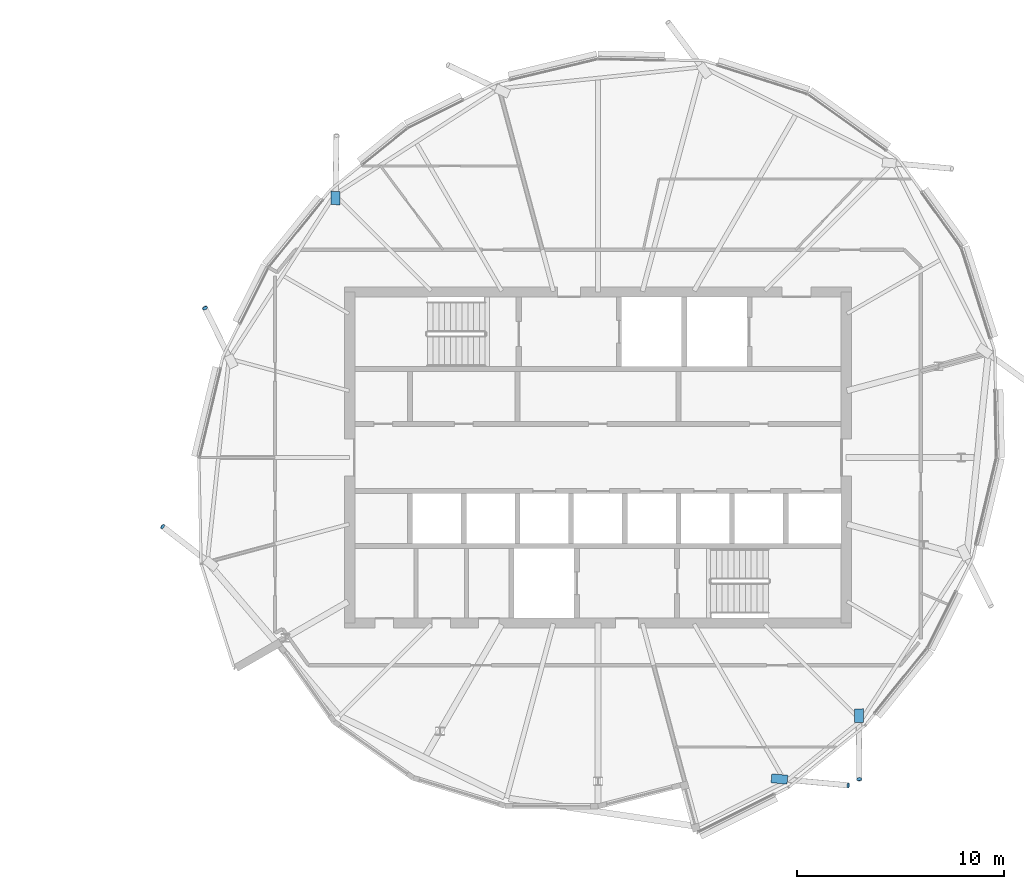
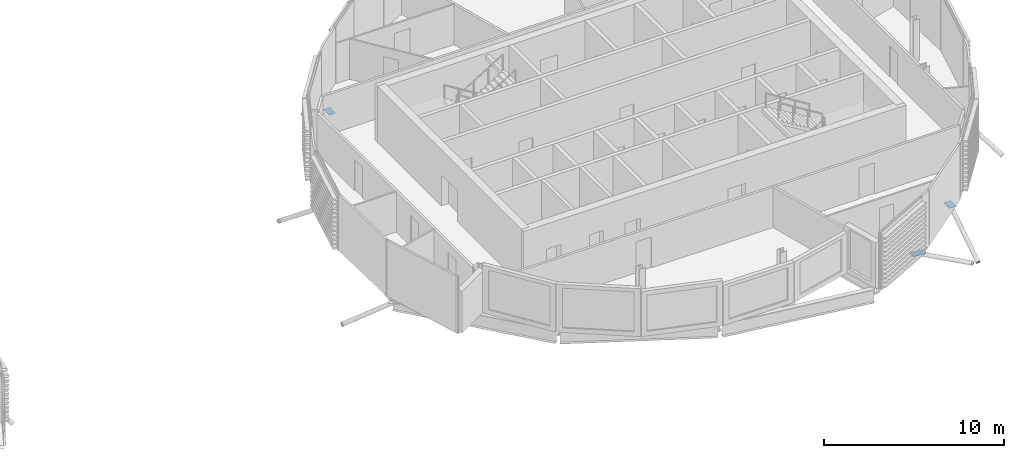
# One storey, part 26 of 33: 7 discrete accessories.
"""IFC4 building model written with IfcOpenShell, lengths in metres."""

from ifc_helpers import new_model, si_unit, direction, frame, origin, origin_2d, place, context, subcontext, project, spatial, polyline, rectangle, circle, outline, extrude, material, material_profile, profile_set, type_object, element, save


model = new_model("IFC4")

# Units and contexts
model_context = context("Model", 3, precision=1e-05, world=origin(), true_north=direction((0.0, 1.0)))
body_context = subcontext(model_context, "Body", "Model", "MODEL_VIEW")
ifc_project = project(units=[si_unit("LENGTHUNIT", "METRE"), si_unit("AREAUNIT", "SQUARE_METRE"), si_unit("VOLUMEUNIT", "CUBIC_METRE"), si_unit("PLANEANGLEUNIT", "RADIAN"), si_unit("MASSUNIT", "GRAM", prefix="KILO")], contexts=[model_context])

# Site, building, storey
site_placement = place(None, origin())
site = spatial("IfcSite", under=ifc_project, at=site_placement, CompositionType="ELEMENT")
building_placement = place(site_placement, origin())
building = spatial("IfcBuilding", under=site, at=building_placement, Name="Rimbun Link Towers", CompositionType="ELEMENT")
storey_placement = place(building_placement, frame((0.0, 0.0, 240.89990234375)))
storey = spatial("IfcBuildingStorey", under=building, at=storey_placement, Name="L59", CompositionType="ELEMENT", Elevation=240.89990234375)

# Discrete accessories
ifc_material_1 = material(Name="Steel S355J2H", Category="steel")
ifc_material_profile_1 = material_profile(ifc_material_1, circle(Radius=0.1240234375, at=origin_2d()), Name="PL D248")
ifc_profile_set_1 = profile_set([ifc_material_profile_1], Name="Steel S355J2H")
discrete_accessory_type_1 = type_object("IfcDiscreteAccessoryType", Name="Link foot sealing plate D248X20", PredefinedType="BRACKET", material=ifc_profile_set_1)
discrete_accessory_1_placement = place(storey_placement, frame((12.760009765625, 7.21728515625, -2.49462890625), z_axis=(-0.353107564088, 0.730567373975, -0.58445389918), x_axis=(-0.900348952842, -0.43516866054, 0.0)))
element("IfcDiscreteAccessory", 1, at=discrete_accessory_1_placement, inside=storey, type_object=discrete_accessory_type_1, Name="Link foot sealing plate T2 L59 08", PredefinedType="BRACKET", context=body_context, shape_type="SweptSolid", body=[
    extrude(circle(Radius=0.1240234375, at=origin_2d()), origin(), (0.0, 0.0, 1.0), 0.02001953125),
])
discrete_accessory_2_placement = place(storey_placement, frame((10.712890625, -3.343017578125, -2.37548828125), z_axis=(-0.677408340875, 0.520152833172, -0.520152833172), x_axis=(-0.60902605709, -0.793150213885, 0.0)))
element("IfcDiscreteAccessory", 2, at=discrete_accessory_2_placement, inside=storey, type_object=discrete_accessory_type_1, Name="Link foot sealing plate T2 L59 10", PredefinedType="BRACKET", context=body_context, shape_type="SweptSolid", body=[
    extrude(circle(Radius=0.1240234375, at=origin_2d()), origin(), (0.0, 0.0, 1.0), 0.020263671875),
])
for number, where, z_axis, x_axis, name in (
    (3, (43.8427734375, -15.8486328125, -2.24658203125), (0.894443975619, -0.073515943202, -0.44109565921), (0.081915556729, 0.996639273542, 0.0), "Link foot sealing plate T2 L59 17"),
    (4, (44.38330078125, -15.545654296875, -2.535888671875), (0.012179734921, -0.828221974607, -0.560267806352), (0.999891886048, 0.014704292442, 0.0), "Link foot sealing plate T2 L59 18"),
):
    element("IfcDiscreteAccessory", number, at=place(storey_placement, frame(where, z_axis=z_axis, x_axis=x_axis)), inside=storey, type_object=discrete_accessory_type_1, Name=name, PredefinedType="BRACKET", context=body_context, shape_type="SweptSolid", body=[
        extrude(circle(Radius=0.1240234375, at=origin_2d()), origin(), (0.0, 0.0, 1.0), 0.02001953125),
    ])
ifc_material_2 = material(Name="Steel S355J2H", Category="steel")
ifc_material_profile_2 = material_profile(ifc_material_2, rectangle(XDim=0.43310546875, YDim=0.43310546875, at=origin_2d()), Name="PL 433x433")
ifc_profile_set_2 = profile_set([ifc_material_profile_2], Name="Steel S355J2H")
discrete_accessory_type_2 = type_object("IfcDiscreteAccessoryType", Name="Link head end plate 433X20", PredefinedType="BRACKET", material=ifc_profile_set_2)
discrete_accessory_3_placement = place(storey_placement, frame((0.0, 0.0, -0.514892578125)))
element("IfcDiscreteAccessory", 5, at=discrete_accessory_3_placement, inside=storey, type_object=discrete_accessory_type_2, Name="Link head end plate T2 L59 06", PredefinedType="BRACKET", context=body_context, shape_type="SweptSolid", body=[
    extrude(outline(polyline([(19.277099609375, 12.21533203125), (19.287109375, 12.86474609375), (18.85400390625, 12.871337890625), (18.84423828125, 12.2216796875), (19.277099609375, 12.21533203125)])), origin(), (0.0, 0.0, 1.0), 0.02001953125),
])
discrete_accessory_4_placement = place(storey_placement, frame((0.0, 0.0, -0.61328125)))
element("IfcDiscreteAccessory", 6, at=discrete_accessory_4_placement, inside=storey, type_object=discrete_accessory_type_2, Name="Link head end plate T2 L59 17", PredefinedType="BRACKET", context=body_context, shape_type="SweptSolid", body=[
    extrude(outline(polyline([(40.1171875, -15.7216796875), (40.89404296875, -15.793701171875), (40.933837890625, -15.3623046875), (40.156982421875, -15.290771484375), (40.1171875, -15.7216796875)])), origin(), (0.0, 0.0, 1.0), 0.02001953125),
])
discrete_accessory_5_placement = place(storey_placement, frame((0.0, 0.0, -0.514892578125)))
element("IfcDiscreteAccessory", 7, at=discrete_accessory_5_placement, inside=storey, type_object=discrete_accessory_type_2, Name="Link head end plate T2 L59 18", PredefinedType="BRACKET", context=body_context, shape_type="SweptSolid", body=[
    extrude(outline(polyline([(44.1494140625, -12.148193359375), (44.15283203125, -12.8046875), (44.585693359375, -12.802490234375), (44.58251953125, -12.14599609375), (44.1494140625, -12.148193359375)])), origin(), (0.0, 0.0, 1.0), 0.02001953125),
])

save(model, "model.ifc")
